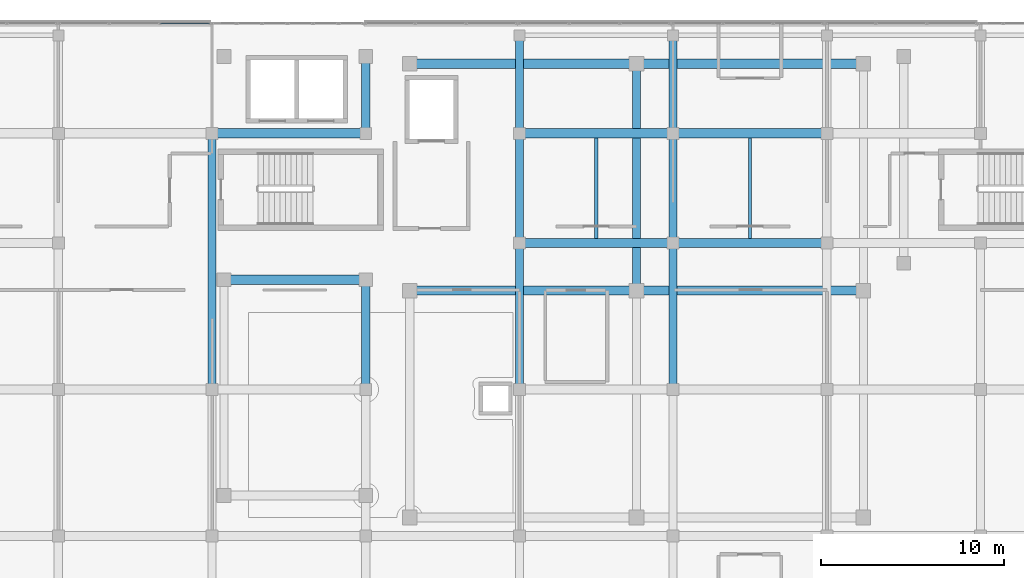
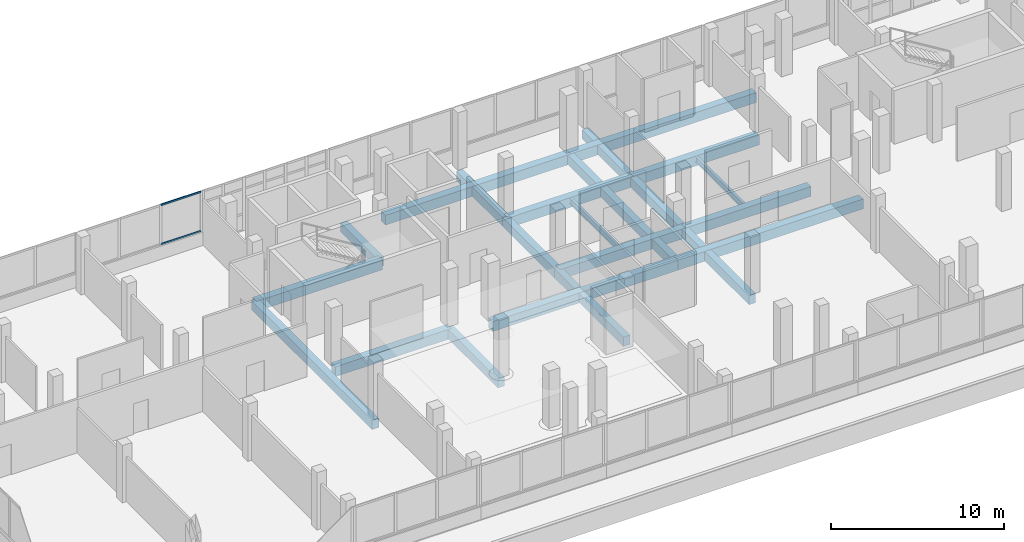
# One storey, part 27 of 78: 22 beams, 2 members, 1 element without a shape of its own.
"""IFC4 building model written with IfcOpenShell, lengths in metres."""

from ifc_helpers import new_model, si_unit, direction, frame, origin, origin_2d, place, context, subcontext, project, spatial, rectangle, hollow_rectangle, i_section, extrude, material, material_profile, profile_set, type_object, element, aggregate, save


model = new_model("IFC4")

# Units and contexts
model_context = context("Model", 3, precision=1e-05, world=origin(), true_north=direction((0.0, 1.0)))
body_context = subcontext(model_context, "Body", "Model", "MODEL_VIEW")
ifc_project = project(units=[si_unit("LENGTHUNIT", "METRE"), si_unit("AREAUNIT", "SQUARE_METRE"), si_unit("VOLUMEUNIT", "CUBIC_METRE"), si_unit("PLANEANGLEUNIT", "RADIAN"), si_unit("MASSUNIT", "GRAM", prefix="KILO")], contexts=[model_context])

# Site, building, storey
site_placement = place(None, origin())
site = spatial("IfcSite", under=ifc_project, at=site_placement, CompositionType="ELEMENT")
building_placement = place(site_placement, origin())
building = spatial("IfcBuilding", under=site, at=building_placement, Name="Selatvlak General Hospital", CompositionType="ELEMENT")
storey_placement = place(building_placement, frame((0.0, 0.0, 23.25)))
storey = spatial("IfcBuildingStorey", under=building, at=storey_placement, Name="L05", CompositionType="ELEMENT", Elevation=23.25)

# Beams
ifc_material_1 = material(Name="Concrete C40/50", Category="concrete")
ifc_material_profile_1 = material_profile(ifc_material_1, rectangle(XDim=0.5, YDim=0.699951171875, at=origin_2d()), Name="RC-BM 500x700")
ifc_profile_set_1 = profile_set([ifc_material_profile_1], Name="Concrete C40/50")
beam_type_1 = type_object("IfcBeamType", Name="BM-G03", PredefinedType="BEAM", material=ifc_profile_set_1)
beam_1_placement = place(storey_placement, frame((58.800048828125, 105.39990234375, -0.6298828125), z_axis=(1.0, 0.0, 0.0), x_axis=(0.0, 1.0, 0.0)))
element("IfcBeam", 1, at=beam_1_placement, inside=storey, type_object=beam_type_1, Name="Beam BMR-L05-1941", PredefinedType="BEAM", context=body_context, shape_type="SweptSolid", body=[
    extrude(rectangle(XDim=0.5, YDim=0.699951171875, at=origin_2d()), origin(), (0.0, 0.0, 1.0), 12.39990234375),
])
beam_2_placement = place(storey_placement, frame((71.199951171875, 105.39990234375, -0.6298828125), z_axis=(1.0, 0.0, 0.0), x_axis=(0.0, 1.0, 0.0)))
element("IfcBeam", 2, at=beam_2_placement, inside=storey, type_object=beam_type_1, Name="Beam BMR-L05-1942", PredefinedType="BEAM", context=body_context, shape_type="SweptSolid", body=[
    extrude(rectangle(XDim=0.5, YDim=0.699951171875, at=origin_2d()), origin(), (0.0, 0.0, 1.0), 12.400146484375),
])
beam_3_placement = place(storey_placement, frame((48.64990234375, 106.0, -0.6298828125), z_axis=(1.0, 0.0, 0.0), x_axis=(0.0, 1.0, 0.0)))
element("IfcBeam", 3, at=beam_3_placement, inside=storey, type_object=beam_type_1, Name="Beam BMR-L05-1943", PredefinedType="BEAM", context=body_context, shape_type="SweptSolid", body=[
    extrude(rectangle(XDim=0.5, YDim=0.699951171875, at=origin_2d()), origin(), (0.0, 0.0, 1.0), 7.75),
])
beam_4_placement = place(storey_placement, frame((64.800048828125, 108.0, -0.6298828125), z_axis=(1.0, 0.0, 0.0), x_axis=(0.0, 1.0, 0.0)))
element("IfcBeam", 4, at=beam_4_placement, inside=storey, type_object=beam_type_1, Name="Beam BMR-L05-1950", PredefinedType="BEAM", context=body_context, shape_type="SweptSolid", body=[
    extrude(rectangle(XDim=0.5, YDim=0.699951171875, at=origin_2d()), origin(), (0.0, 0.0, 1.0), 8.39990234375),
])
beam_5_placement = place(storey_placement, frame((73.199951171875, 108.0, -0.6298828125), z_axis=(1.0, 0.0, 0.0), x_axis=(0.0, 1.0, 0.0)))
element("IfcBeam", 5, at=beam_5_placement, inside=storey, type_object=beam_type_1, Name="Beam BMR-L05-1951", PredefinedType="BEAM", context=body_context, shape_type="SweptSolid", body=[
    extrude(rectangle(XDim=0.5, YDim=0.699951171875, at=origin_2d()), origin(), (0.0, 0.0, 1.0), 8.400146484375),
])
for number, where, z_axis, x_axis, name in (
    (6, (48.0, 114.0, -0.6298828125), (1.0, 0.0, 0.0), (0.0, 1.0, 0.0), "Beam BMR-L05-1963"),
    (7, (64.800048828125, 114.0, -0.6298828125), (1.0, 0.0, 0.0), (0.0, 1.0, 0.0), "Beam BMR-L05-1964"),
):
    element("IfcBeam", number, at=place(storey_placement, frame(where, z_axis=z_axis, x_axis=x_axis)), inside=storey, type_object=beam_type_1, Name=name, PredefinedType="BEAM", context=body_context, shape_type="SweptSolid", body=[
        extrude(rectangle(XDim=0.5, YDim=0.699951171875, at=origin_2d()), origin(), (0.0, 0.0, 1.0), 8.39990234375),
    ])
beam_6_placement = place(storey_placement, frame((73.199951171875, 114.0, -0.6298828125), z_axis=(1.0, 0.0, 0.0), x_axis=(0.0, 1.0, 0.0)))
element("IfcBeam", 8, at=beam_6_placement, inside=storey, type_object=beam_type_1, Name="Beam BMR-L05-1965", PredefinedType="BEAM", context=body_context, shape_type="SweptSolid", body=[
    extrude(rectangle(XDim=0.5, YDim=0.699951171875, at=origin_2d()), origin(), (0.0, 0.0, 1.0), 8.400146484375),
])
beam_7_placement = place(storey_placement, frame((58.800048828125, 117.800048828125, -0.6298828125), z_axis=(1.0, 0.0, 0.0), x_axis=(0.0, 1.0, 0.0)))
element("IfcBeam", 9, at=beam_7_placement, inside=storey, type_object=beam_type_1, Name="Beam BMR-L05-1973", PredefinedType="BEAM", context=body_context, shape_type="SweptSolid", body=[
    extrude(rectangle(XDim=0.5, YDim=0.699951171875, at=origin_2d()), origin(), (0.0, 0.0, 1.0), 12.39990234375),
])
beam_8_placement = place(storey_placement, frame((71.199951171875, 117.800048828125, -0.6298828125), z_axis=(1.0, 0.0, 0.0), x_axis=(0.0, 1.0, 0.0)))
element("IfcBeam", 10, at=beam_8_placement, inside=storey, type_object=beam_type_1, Name="Beam BMR-L05-1974", PredefinedType="BEAM", context=body_context, shape_type="SweptSolid", body=[
    extrude(rectangle(XDim=0.5, YDim=0.699951171875, at=origin_2d()), origin(), (0.0, 0.0, 1.0), 12.400146484375),
])
ifc_material_profile_2 = material_profile(ifc_material_1, rectangle(XDim=0.449951171875, YDim=0.64990234375, at=origin_2d()), Name="RC-BM 450x650")
ifc_profile_set_2 = profile_set([ifc_material_profile_2], Name="Concrete C40/50")
beam_type_2 = type_object("IfcBeamType", Name="BM-G04", PredefinedType="BEAM", material=ifc_profile_set_2)
beam_9_placement = place(storey_placement, frame((48.0, 100.0, -0.60498046875), z_axis=(0.0, 1.0, 0.0), x_axis=(-1.0, 0.0, 0.0)))
element("IfcBeam", 11, at=beam_9_placement, inside=storey, type_object=beam_type_2, Name="Beam BMR-L05-2001", PredefinedType="BEAM", context=body_context, shape_type="SweptSolid", body=[
    extrude(rectangle(XDim=0.449951171875, YDim=0.64990234375, at=origin_2d()), origin(), (0.0, 0.0, 1.0), 14.0),
])
beam_10_placement = place(storey_placement, frame((56.39990234375, 100.0, -0.60498046875), z_axis=(0.0, 1.0, 0.0), x_axis=(-1.0, 0.0, 0.0)))
element("IfcBeam", 12, at=beam_10_placement, inside=storey, type_object=beam_type_2, Name="Beam BMR-L05-2006", PredefinedType="BEAM", context=body_context, shape_type="SweptSolid", body=[
    extrude(rectangle(XDim=0.449951171875, YDim=0.64990234375, at=origin_2d()), origin(), (0.0, 0.0, 1.0), 6.0),
])
beam_11_placement = place(storey_placement, frame((56.39990234375, 114.0, -0.60498046875), z_axis=(0.0, 1.0, 0.0), x_axis=(-1.0, 0.0, 0.0)))
element("IfcBeam", 13, at=beam_11_placement, inside=storey, type_object=beam_type_2, Name="Beam BMR-L05-2007", PredefinedType="BEAM", context=body_context, shape_type="SweptSolid", body=[
    extrude(rectangle(XDim=0.449951171875, YDim=0.64990234375, at=origin_2d()), origin(), (0.0, 0.0, 1.0), 4.199951171875),
])
beam_12_placement = place(storey_placement, frame((64.800048828125, 100.0, -0.60498046875), z_axis=(0.0, 1.0, 0.0), x_axis=(-1.0, 0.0, 0.0)))
element("IfcBeam", 14, at=beam_12_placement, inside=storey, type_object=beam_type_2, Name="Beam BMR-L05-2011", PredefinedType="BEAM", context=body_context, shape_type="SweptSolid", body=[
    extrude(rectangle(XDim=0.449951171875, YDim=0.64990234375, at=origin_2d()), origin(), (0.0, 0.0, 1.0), 8.0),
])
beam_13_placement = place(storey_placement, frame((64.800048828125, 108.0, -0.60498046875), z_axis=(0.0, 1.0, 0.0), x_axis=(-1.0, 0.0, 0.0)))
element("IfcBeam", 15, at=beam_13_placement, inside=storey, type_object=beam_type_2, Name="Beam BMR-L05-2012", PredefinedType="BEAM", context=body_context, shape_type="SweptSolid", body=[
    extrude(rectangle(XDim=0.449951171875, YDim=0.64990234375, at=origin_2d()), origin(), (0.0, 0.0, 1.0), 6.0),
])
beam_14_placement = place(storey_placement, frame((64.800048828125, 114.0, -0.60498046875), z_axis=(0.0, 1.0, 0.0), x_axis=(-1.0, 0.0, 0.0)))
element("IfcBeam", 16, at=beam_14_placement, inside=storey, type_object=beam_type_2, Name="Beam BMR-L05-2013", PredefinedType="BEAM", context=body_context, shape_type="SweptSolid", body=[
    extrude(rectangle(XDim=0.449951171875, YDim=0.64990234375, at=origin_2d()), origin(), (0.0, 0.0, 1.0), 5.35009765625),
])
beam_15_placement = place(storey_placement, frame((71.199951171875, 105.39990234375, -0.60498046875), z_axis=(0.0, 1.0, 0.0), x_axis=(-1.0, 0.0, 0.0)))
element("IfcBeam", 17, at=beam_15_placement, inside=storey, type_object=beam_type_2, Name="Beam BMR-L05-2015", PredefinedType="BEAM", context=body_context, shape_type="SweptSolid", body=[
    extrude(rectangle(XDim=0.449951171875, YDim=0.64990234375, at=origin_2d()), origin(), (0.0, 0.0, 1.0), 12.400146484375),
])
beam_16_placement = place(storey_placement, frame((73.199951171875, 100.0, -0.60498046875), z_axis=(0.0, 1.0, 0.0), x_axis=(-1.0, 0.0, 0.0)))
element("IfcBeam", 18, at=beam_16_placement, inside=storey, type_object=beam_type_2, Name="Beam BMR-L05-2018", PredefinedType="BEAM", context=body_context, shape_type="SweptSolid", body=[
    extrude(rectangle(XDim=0.449951171875, YDim=0.64990234375, at=origin_2d()), origin(), (0.0, 0.0, 1.0), 8.0),
])
beam_17_placement = place(storey_placement, frame((73.199951171875, 108.0, -0.60498046875), z_axis=(0.0, 1.0, 0.0), x_axis=(-1.0, 0.0, 0.0)))
element("IfcBeam", 19, at=beam_17_placement, inside=storey, type_object=beam_type_2, Name="Beam BMR-L05-2019", PredefinedType="BEAM", context=body_context, shape_type="SweptSolid", body=[
    extrude(rectangle(XDim=0.449951171875, YDim=0.64990234375, at=origin_2d()), origin(), (0.0, 0.0, 1.0), 6.0),
])
beam_18_placement = place(storey_placement, frame((73.199951171875, 114.0, -0.60498046875), z_axis=(0.0, 1.0, 0.0), x_axis=(-1.0, 0.0, 0.0)))
element("IfcBeam", 20, at=beam_18_placement, inside=storey, type_object=beam_type_2, Name="Beam BMR-L05-2020", PredefinedType="BEAM", context=body_context, shape_type="SweptSolid", body=[
    extrude(rectangle(XDim=0.449951171875, YDim=0.64990234375, at=origin_2d()), origin(), (0.0, 0.0, 1.0), 5.35009765625),
])
ifc_material_2 = material(Name="Steel S355", Category="steel")
ifc_material_profile_3 = material_profile(ifc_material_2, i_section(OverallWidth=0.177978515625, OverallDepth=0.406494140625, WebThickness=0.0078125, FlangeThickness=0.0126953125, at=origin_2d()), Name="UB 406x178x60")
ifc_profile_set_3 = profile_set([ifc_material_profile_3], Name="Steel S355")
beam_type_3 = type_object("IfcBeamType", Name="BM-J04", PredefinedType="JOIST", material=ifc_profile_set_3)
for number, where, z_axis, x_axis, name in (
    (21, (69.0, 108.25, -0.48291015625), (0.0, 1.0, 0.0), (-1.0, 0.0, 0.0), "Beam BMR-L05-2128"),
    (22, (77.39990234375, 108.25, -0.48291015625), (0.0, 1.0, 0.0), (-1.0, 0.0, 0.0), "Beam BMR-L05-2129"),
):
    element("IfcBeam", number, at=place(storey_placement, frame(where, z_axis=z_axis, x_axis=x_axis)), inside=storey, type_object=beam_type_3, Name=name, PredefinedType="JOIST", context=body_context, shape_type="SweptSolid", body=[
        extrude(i_section(OverallWidth=0.177978515625, OverallDepth=0.406494140625, WebThickness=0.0078125, FlangeThickness=0.0126953125, at=origin_2d()), origin(), (0.0, 0.0, 1.0), 5.5),
    ])

# Curtain wall, members
ifc_material_3 = material(Name="Solar-control Low-E double glazing", Category="glass")
curtain_wall_type = type_object("IfcCurtainWallType", Name="CW-CW-01", PredefinedType="USERDEFINED", material=ifc_material_3)
curtain_wall_placement = place(storey_placement, origin())
curtain_wall = element("IfcCurtainWall", 23, at=curtain_wall_placement, inside=storey, type_object=curtain_wall_type, Name="Glazed facade curtain wall CW-L05-0549", ObjectType="UNITISED CURTAIN WALL", PredefinedType="USERDEFINED")
ifc_material_4 = material(Name="Dark anodised aluminium mullion", Category="aluminium")
ifc_material_profile_4 = material_profile(ifc_material_4, hollow_rectangle(XDim=0.06494140625, YDim=0.1201171875, WallThickness=0.00390625, at=origin_2d()), Name="AL-TRN 65x120x4")
ifc_profile_set_4 = profile_set([ifc_material_profile_4], Name="Dark anodised aluminium mullion")
member_type = type_object("IfcMemberType", Name="CWT-01", PredefinedType="USERDEFINED", material=ifc_profile_set_4)
member_1_placement = place(storey_placement, frame((45.188232421875, 119.9990234375, 0.972412109375), z_axis=(1.0, 0.0, 0.0), x_axis=(0.0, 1.0, 0.0)))
member_1 = element("IfcMember", 24, at=member_1_placement, type_object=member_type, Name="CW-01 transom 3.1", ObjectType="TRANSOM", PredefinedType="USERDEFINED", context=body_context, shape_type="SweptSolid", body=[
    extrude(hollow_rectangle(XDim=0.06494140625, YDim=0.1201171875, WallThickness=0.00390625, at=origin_2d()), origin(), (0.0, 0.0, 1.0), 2.668701171875),
])
member_2_placement = place(storey_placement, frame((45.188232421875, 119.9990234375, 3.742431640625), z_axis=(1.0, 0.0, 0.0), x_axis=(0.0, 1.0, 0.0)))
member_2 = element("IfcMember", 25, at=member_2_placement, type_object=member_type, Name="CW-01 transom 3.2", ObjectType="TRANSOM", PredefinedType="USERDEFINED", context=body_context, shape_type="SweptSolid", body=[
    extrude(hollow_rectangle(XDim=0.06494140625, YDim=0.1201171875, WallThickness=0.00390625, at=origin_2d()), origin(), (0.0, 0.0, 1.0), 2.668701171875),
])
aggregate(curtain_wall, [member_1, member_2])

save(model, "model.ifc")
